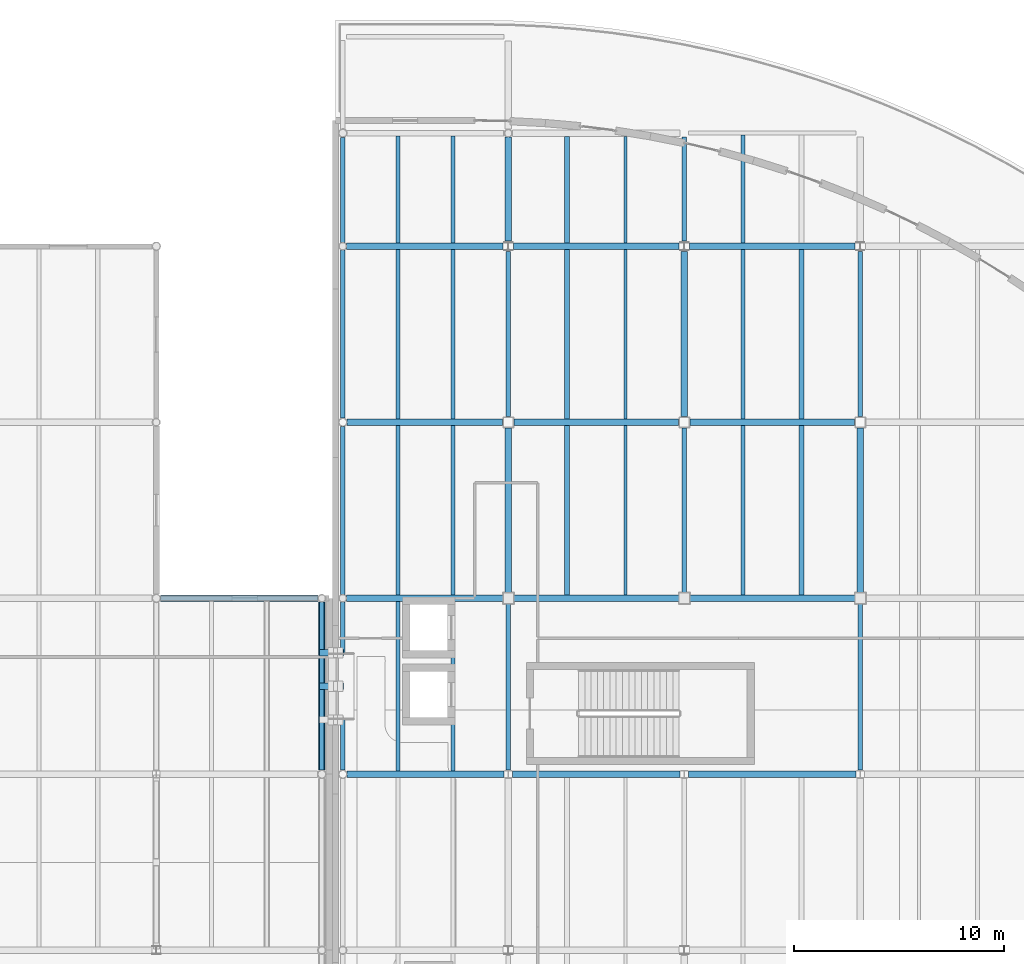
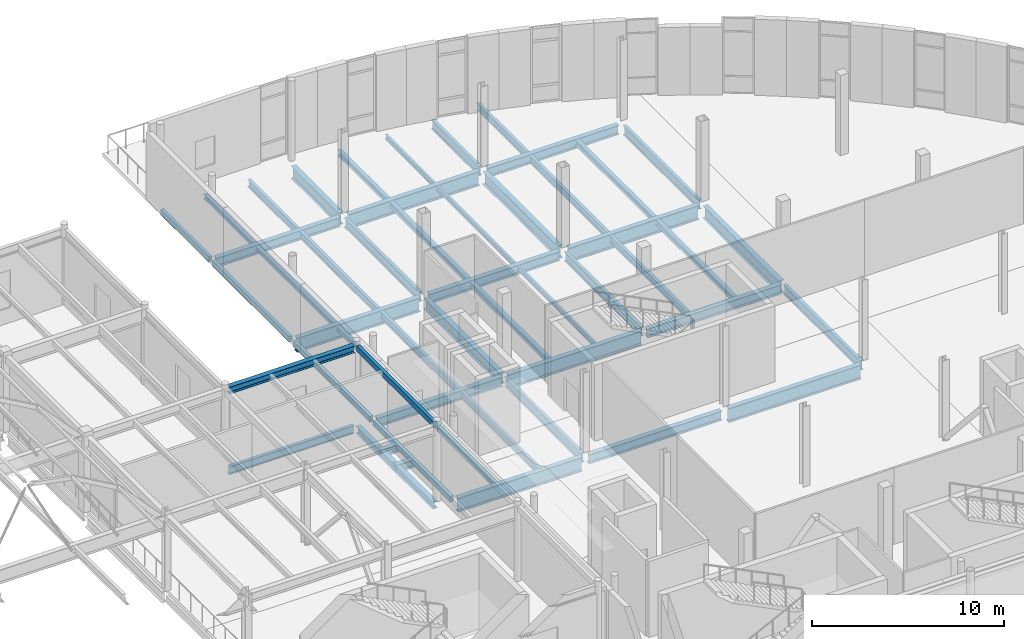
# One storey, part 33 of 103: 51 beams.
"""IFC4 building model written with IfcOpenShell, lengths in metres."""

from ifc_helpers import new_model, si_unit, direction, frame, origin, origin_2d, place, context, subcontext, project, spatial, hollow_rectangle, i_section, extrude, material, material_profile, profile_set, type_object, element, save


model = new_model("IFC4")

# Units and contexts
model_context = context("Model", 3, precision=1e-05, world=origin(), true_north=direction((0.0, 1.0)))
body_context = subcontext(model_context, "Body", "Model", "MODEL_VIEW")
ifc_project = project(units=[si_unit("LENGTHUNIT", "METRE"), si_unit("AREAUNIT", "SQUARE_METRE"), si_unit("VOLUMEUNIT", "CUBIC_METRE"), si_unit("PLANEANGLEUNIT", "RADIAN"), si_unit("MASSUNIT", "GRAM", prefix="KILO"), si_unit("THERMODYNAMICTEMPERATUREUNIT", "KELVIN")], contexts=[model_context])

# Site, building, storey
site_placement = place(None, origin())
site = spatial("IfcSite", under=ifc_project, at=site_placement, CompositionType="ELEMENT")
building_placement = place(site_placement, origin())
building = spatial("IfcBuilding", under=site, at=building_placement, Name="Lustrewick Department Store", CompositionType="ELEMENT")
storey_placement = place(building_placement, frame((0.0, 0.0, 16.5)))
storey = spatial("IfcBuildingStorey", under=building, at=storey_placement, Name="L04", CompositionType="ELEMENT", Elevation=16.5)

# Beams
ifc_material_1 = material(Name="Structural steel Q355B", Category="steel")
ifc_material_profile_1 = material_profile(ifc_material_1, i_section(OverallWidth=0.198974609375, OverallDepth=0.446044921875, WebThickness=0.008056640625, FlangeThickness=0.011962890625, FilletRadius=0.01611328125, at=origin_2d()), Name="HN 446x199x8x12")
ifc_profile_set_1 = profile_set([ifc_material_profile_1], Name="Structural steel Q355B")
beam_type_1 = type_object("IfcBeamType", Name="B04", PredefinedType="JOIST", material=ifc_profile_set_1)
for number, where, z_axis, x_axis, name in (
    (1, (114.966796875, 75.75, -0.47802734375), (0.0, 1.0, 0.0), (-1.0, 0.0, 0.0), "L04 V4 Secondary Joist B04"),
    (2, (114.966796875, 84.14990234375, -0.47802734375), (0.0, 1.0, 0.0), (-1.0, 0.0, 0.0), "L04 V4 Secondary Joist B04"),
):
    element("IfcBeam", number, at=place(storey_placement, frame(where, z_axis=z_axis, x_axis=x_axis)), inside=storey, type_object=beam_type_1, Name=name, PredefinedType="JOIST", context=body_context, shape_type="SweptSolid", body=[
        extrude(i_section(OverallWidth=0.198974609375, OverallDepth=0.446044921875, WebThickness=0.008056640625, FlangeThickness=0.011962890625, FilletRadius=0.01611328125, at=origin_2d()), origin(), (0.0, 0.0, 1.0), 8.10009765625),
    ])
beam_1_placement = place(storey_placement, frame((128.800048828125, 84.15087890625, -0.47802734375), z_axis=(0.0, 1.0, 0.0), x_axis=(-1.0, 0.0, 0.0)))
element("IfcBeam", 3, at=beam_1_placement, inside=storey, type_object=beam_type_1, Name="L04 V4 Secondary Joist B04", PredefinedType="JOIST", context=body_context, shape_type="SweptSolid", body=[
    extrude(i_section(OverallWidth=0.198974609375, OverallDepth=0.446044921875, WebThickness=0.008056640625, FlangeThickness=0.011962890625, FilletRadius=0.01611328125, at=origin_2d()), origin(), (0.0, 0.0, 1.0), 8.09814453125),
])
beam_2_placement = place(storey_placement, frame((114.966796875, 92.550048828125, -0.47802734375), z_axis=(0.0, 1.0, 0.0), x_axis=(-1.0, 0.0, 0.0)))
element("IfcBeam", 4, at=beam_2_placement, inside=storey, type_object=beam_type_1, Name="L04 V4 Secondary Joist B04", PredefinedType="JOIST", context=body_context, shape_type="SweptSolid", body=[
    extrude(i_section(OverallWidth=0.198974609375, OverallDepth=0.446044921875, WebThickness=0.008056640625, FlangeThickness=0.011962890625, FilletRadius=0.01611328125, at=origin_2d()), origin(), (0.0, 0.0, 1.0), 8.098876953125),
])
beam_3_placement = place(storey_placement, frame((128.800048828125, 92.551025390625, -0.47802734375), z_axis=(0.0, 1.0, 0.0), x_axis=(-1.0, 0.0, 0.0)))
element("IfcBeam", 5, at=beam_3_placement, inside=storey, type_object=beam_type_1, Name="L04 V4 Secondary Joist B04", PredefinedType="JOIST", context=body_context, shape_type="SweptSolid", body=[
    extrude(i_section(OverallWidth=0.198974609375, OverallDepth=0.446044921875, WebThickness=0.008056640625, FlangeThickness=0.011962890625, FilletRadius=0.01611328125, at=origin_2d()), origin(), (0.0, 0.0, 1.0), 8.097900390625),
])
beam_4_placement = place(storey_placement, frame((114.966796875, 100.950927734375, -0.47802734375), z_axis=(0.0, 1.0, 0.0), x_axis=(-1.0, 0.0, 0.0)))
element("IfcBeam", 6, at=beam_4_placement, inside=storey, type_object=beam_type_1, Name="L04 V4 Secondary Joist B04", PredefinedType="JOIST", context=body_context, shape_type="SweptSolid", body=[
    extrude(i_section(OverallWidth=0.198974609375, OverallDepth=0.446044921875, WebThickness=0.008056640625, FlangeThickness=0.011962890625, FilletRadius=0.01611328125, at=origin_2d()), origin(), (0.0, 0.0, 1.0), 5.1240234375),
])
beam_5_placement = place(storey_placement, frame((128.800048828125, 100.950927734375, -0.47802734375), z_axis=(0.0, 1.0, 0.0), x_axis=(-1.0, 0.0, 0.0)))
element("IfcBeam", 7, at=beam_5_placement, inside=storey, type_object=beam_type_1, Name="L04 V4 Secondary Joist B04", PredefinedType="JOIST", context=body_context, shape_type="SweptSolid", body=[
    extrude(i_section(OverallWidth=0.198974609375, OverallDepth=0.446044921875, WebThickness=0.008056640625, FlangeThickness=0.011962890625, FilletRadius=0.01611328125, at=origin_2d()), origin(), (0.0, 0.0, 1.0), 5.149658203125),
])
ifc_material_profile_2 = material_profile(ifc_material_1, i_section(OverallWidth=0.25, OverallDepth=0.340087890625, WebThickness=0.009033203125, FlangeThickness=0.013916015625, FilletRadius=0.01611328125, at=origin_2d()), Name="HM 340x250x9x14")
ifc_profile_set_2 = profile_set([ifc_material_profile_2], Name="Structural steel Q355B")
beam_type_2 = type_object("IfcBeamType", Name="B08", PredefinedType="JOIST", material=ifc_profile_set_2)
beam_6_placement = place(storey_placement, frame((120.39990234375, 84.14990234375, -0.425048828125), z_axis=(0.0, 1.0, 0.0), x_axis=(-1.0, 0.0, 0.0)))
element("IfcBeam", 8, at=beam_6_placement, inside=storey, type_object=beam_type_2, Name="L04 V4 Secondary Joist B08", PredefinedType="JOIST", context=body_context, shape_type="SweptSolid", body=[
    extrude(i_section(OverallWidth=0.25, OverallDepth=0.340087890625, WebThickness=0.009033203125, FlangeThickness=0.013916015625, FilletRadius=0.01611328125, at=origin_2d()), origin(), (0.0, 0.0, 1.0), 8.09912109375),
])
beam_7_placement = place(storey_placement, frame((131.60009765625, 84.15087890625, -0.425048828125), z_axis=(0.0, 1.0, 0.0), x_axis=(-1.0, 0.0, 0.0)))
element("IfcBeam", 9, at=beam_7_placement, inside=storey, type_object=beam_type_2, Name="L04 V4 Secondary Joist B08", PredefinedType="JOIST", context=body_context, shape_type="SweptSolid", body=[
    extrude(i_section(OverallWidth=0.25, OverallDepth=0.340087890625, WebThickness=0.009033203125, FlangeThickness=0.013916015625, FilletRadius=0.01611328125, at=origin_2d()), origin(), (0.0, 0.0, 1.0), 8.09814453125),
])
for number, where, z_axis, x_axis, name in (
    (10, (120.39990234375, 92.551025390625, -0.425048828125), (0.0, 1.0, 0.0), (-1.0, 0.0, 0.0), "L04 V4 Secondary Joist B08"),
    (11, (131.60009765625, 92.551025390625, -0.425048828125), (0.0, 1.0, 0.0), (-1.0, 0.0, 0.0), "L04 V4 Secondary Joist B08"),
):
    element("IfcBeam", number, at=place(storey_placement, frame(where, z_axis=z_axis, x_axis=x_axis)), inside=storey, type_object=beam_type_2, Name=name, PredefinedType="JOIST", context=body_context, shape_type="SweptSolid", body=[
        extrude(i_section(OverallWidth=0.25, OverallDepth=0.340087890625, WebThickness=0.009033203125, FlangeThickness=0.013916015625, FilletRadius=0.01611328125, at=origin_2d()), origin(), (0.0, 0.0, 1.0), 8.097900390625),
    ])
beam_8_placement = place(storey_placement, frame((120.39990234375, 100.950927734375, -0.425048828125), z_axis=(0.0, 1.0, 0.0), x_axis=(-1.0, 0.0, 0.0)))
element("IfcBeam", 12, at=beam_8_placement, inside=storey, type_object=beam_type_2, Name="L04 V4 Secondary Joist B08", PredefinedType="JOIST", context=body_context, shape_type="SweptSolid", body=[
    extrude(i_section(OverallWidth=0.25, OverallDepth=0.340087890625, WebThickness=0.009033203125, FlangeThickness=0.013916015625, FilletRadius=0.01611328125, at=origin_2d()), origin(), (0.0, 0.0, 1.0), 5.09814453125),
])
ifc_material_profile_3 = material_profile(ifc_material_1, i_section(OverallWidth=0.14892578125, OverallDepth=0.298095703125, WebThickness=0.005615234375, FlangeThickness=0.008056640625, FilletRadius=0.011962890625, at=origin_2d()), Name="HN 298x149x5.5x8")
ifc_profile_set_3 = profile_set([ifc_material_profile_3], Name="Structural steel Q355B")
beam_type_3 = type_object("IfcBeamType", Name="B12", PredefinedType="JOIST", material=ifc_profile_set_3)
beam_9_placement = place(storey_placement, frame((123.199951171875, 84.14990234375, -0.404052734375), z_axis=(0.0, 1.0, 0.0), x_axis=(-1.0, 0.0, 0.0)))
element("IfcBeam", 13, at=beam_9_placement, inside=storey, type_object=beam_type_3, Name="L04 V4 Secondary Joist B12", PredefinedType="JOIST", context=body_context, shape_type="SweptSolid", body=[
    extrude(i_section(OverallWidth=0.14892578125, OverallDepth=0.298095703125, WebThickness=0.005615234375, FlangeThickness=0.008056640625, FilletRadius=0.011962890625, at=origin_2d()), origin(), (0.0, 0.0, 1.0), 8.09912109375),
])
beam_10_placement = place(storey_placement, frame((123.199951171875, 92.551025390625, -0.404052734375), z_axis=(0.0, 1.0, 0.0), x_axis=(-1.0, 0.0, 0.0)))
element("IfcBeam", 14, at=beam_10_placement, inside=storey, type_object=beam_type_3, Name="L04 V4 Secondary Joist B12", PredefinedType="JOIST", context=body_context, shape_type="SweptSolid", body=[
    extrude(i_section(OverallWidth=0.14892578125, OverallDepth=0.298095703125, WebThickness=0.005615234375, FlangeThickness=0.008056640625, FilletRadius=0.011962890625, at=origin_2d()), origin(), (0.0, 0.0, 1.0), 8.097900390625),
])
beam_11_placement = place(storey_placement, frame((123.199951171875, 100.950927734375, -0.404052734375), z_axis=(0.0, 1.0, 0.0), x_axis=(-1.0, 0.0, 0.0)))
element("IfcBeam", 15, at=beam_11_placement, inside=storey, type_object=beam_type_3, Name="L04 V4 Secondary Joist B12", PredefinedType="JOIST", context=body_context, shape_type="SweptSolid", body=[
    extrude(i_section(OverallWidth=0.14892578125, OverallDepth=0.298095703125, WebThickness=0.005615234375, FlangeThickness=0.008056640625, FilletRadius=0.011962890625, at=origin_2d()), origin(), (0.0, 0.0, 1.0), 5.09814453125),
])
ifc_material_profile_4 = material_profile(ifc_material_1, i_section(OverallWidth=0.199951171875, OverallDepth=0.2939453125, WebThickness=0.008056640625, FlangeThickness=0.011962890625, FilletRadius=0.013916015625, at=origin_2d()), Name="HM 294x200x8x12")
ifc_profile_set_4 = profile_set([ifc_material_profile_4], Name="Structural steel Q355B")
beam_type_4 = type_object("IfcBeamType", Name="B13", PredefinedType="JOIST", material=ifc_profile_set_4)
for number, where, z_axis, x_axis, name in (
    (16, (112.333251953125, 75.75, -0.402099609375), (0.0, 1.0, 0.0), (-1.0, 0.0, 0.0), "L04 V4 Secondary Joist B13"),
    (17, (112.333251953125, 84.14990234375, -0.402099609375), (0.0, 1.0, 0.0), (-1.0, 0.0, 0.0), "L04 V4 Secondary Joist B13"),
):
    element("IfcBeam", number, at=place(storey_placement, frame(where, z_axis=z_axis, x_axis=x_axis)), inside=storey, type_object=beam_type_4, Name=name, PredefinedType="JOIST", context=body_context, shape_type="SweptSolid", body=[
        extrude(i_section(OverallWidth=0.199951171875, OverallDepth=0.2939453125, WebThickness=0.008056640625, FlangeThickness=0.011962890625, FilletRadius=0.013916015625, at=origin_2d()), origin(), (0.0, 0.0, 1.0), 8.10009765625),
    ])
beam_12_placement = place(storey_placement, frame((112.333251953125, 92.550048828125, -0.402099609375), z_axis=(0.0, 1.0, 0.0), x_axis=(-1.0, 0.0, 0.0)))
element("IfcBeam", 18, at=beam_12_placement, inside=storey, type_object=beam_type_4, Name="L04 V4 Secondary Joist B13", PredefinedType="JOIST", context=body_context, shape_type="SweptSolid", body=[
    extrude(i_section(OverallWidth=0.199951171875, OverallDepth=0.2939453125, WebThickness=0.008056640625, FlangeThickness=0.011962890625, FilletRadius=0.013916015625, at=origin_2d()), origin(), (0.0, 0.0, 1.0), 8.098876953125),
])
beam_13_placement = place(storey_placement, frame((112.333251953125, 100.950927734375, -0.402099609375), z_axis=(0.0, 1.0, 0.0), x_axis=(-1.0, 0.0, 0.0)))
element("IfcBeam", 19, at=beam_13_placement, inside=storey, type_object=beam_type_4, Name="L04 V4 Secondary Joist B13", PredefinedType="JOIST", context=body_context, shape_type="SweptSolid", body=[
    extrude(i_section(OverallWidth=0.199951171875, OverallDepth=0.2939453125, WebThickness=0.008056640625, FlangeThickness=0.011962890625, FilletRadius=0.013916015625, at=origin_2d()), origin(), (0.0, 0.0, 1.0), 5.1240234375),
])
ifc_material_2 = material(Name="Structural steel Q355C", Category="steel")
ifc_material_profile_5 = material_profile(ifc_material_2, i_section(OverallWidth=0.302001953125, OverallDepth=0.912109375, WebThickness=0.01806640625, FlangeThickness=0.033935546875, FilletRadius=0.02392578125, at=origin_2d()), Name="HN 912x302x18x34")
ifc_profile_set_5 = profile_set([ifc_material_profile_5], Name="Structural steel Q355C")
beam_type_5 = type_object("IfcBeamType", Name="G01", PredefinedType="BEAM", material=ifc_profile_set_5)
beam_14_placement = place(storey_placement, frame((126.27490234375, 92.39990234375, -0.7109375), z_axis=(1.0, 0.0, 0.0), x_axis=(0.0, 1.0, 0.0)))
element("IfcBeam", 20, at=beam_14_placement, inside=storey, type_object=beam_type_5, Name="L04 V4 Girder G01", PredefinedType="BEAM", context=body_context, shape_type="SweptSolid", body=[
    extrude(i_section(OverallWidth=0.302001953125, OverallDepth=0.912109375, WebThickness=0.01806640625, FlangeThickness=0.033935546875, FilletRadius=0.02392578125, at=origin_2d()), origin(), (0.0, 0.0, 1.0), 7.85009765625),
])
beam_15_placement = place(storey_placement, frame((117.85009765625, 100.800048828125, -0.7109375), z_axis=(1.0, 0.0, 0.0), x_axis=(0.0, 1.0, 0.0)))
element("IfcBeam", 21, at=beam_15_placement, inside=storey, type_object=beam_type_5, Name="L04 V4 Girder G01", PredefinedType="BEAM", context=body_context, shape_type="SweptSolid", body=[
    extrude(i_section(OverallWidth=0.302001953125, OverallDepth=0.912109375, WebThickness=0.01806640625, FlangeThickness=0.033935546875, FilletRadius=0.02392578125, at=origin_2d()), origin(), (0.0, 0.0, 1.0), 7.89990234375),
])
ifc_material_profile_6 = material_profile(ifc_material_2, i_section(OverallWidth=0.300048828125, OverallDepth=0.89990234375, WebThickness=0.01611328125, FlangeThickness=0.028076171875, FilletRadius=0.02392578125, at=origin_2d()), Name="HN 900x300x16x28")
ifc_profile_set_6 = profile_set([ifc_material_profile_6], Name="Structural steel Q355C")
beam_type_6 = type_object("IfcBeamType", Name="G02", PredefinedType="BEAM", material=ifc_profile_set_6)
beam_16_placement = place(storey_placement, frame((109.903076171875, 75.60009765625, -0.705078125), z_axis=(1.0, 0.0, 0.0), x_axis=(0.0, 1.0, 0.0)))
element("IfcBeam", 22, at=beam_16_placement, inside=storey, type_object=beam_type_6, Name="L04 V4 Girder G02", PredefinedType="BEAM", context=body_context, shape_type="SweptSolid", body=[
    extrude(i_section(OverallWidth=0.300048828125, OverallDepth=0.89990234375, WebThickness=0.01611328125, FlangeThickness=0.028076171875, FilletRadius=0.02392578125, at=origin_2d()), origin(), (0.0, 0.0, 1.0), 7.495849609375),
])
beam_17_placement = place(storey_placement, frame((126.200927734375, 75.60009765625, -0.705078125), z_axis=(1.0, 0.0, 0.0), x_axis=(0.0, 1.0, 0.0)))
element("IfcBeam", 23, at=beam_17_placement, inside=storey, type_object=beam_type_6, Name="L04 V4 Girder G02", PredefinedType="BEAM", context=body_context, shape_type="SweptSolid", body=[
    extrude(i_section(OverallWidth=0.300048828125, OverallDepth=0.89990234375, WebThickness=0.01611328125, FlangeThickness=0.028076171875, FilletRadius=0.02392578125, at=origin_2d()), origin(), (0.0, 0.0, 1.0), 7.998046875),
])
beam_18_placement = place(storey_placement, frame((117.77490234375, 84.0, -0.705078125), z_axis=(1.0, 0.0, 0.0), x_axis=(0.0, 1.0, 0.0)))
element("IfcBeam", 24, at=beam_18_placement, inside=storey, type_object=beam_type_6, Name="L04 V4 Girder G02", PredefinedType="BEAM", context=body_context, shape_type="SweptSolid", body=[
    extrude(i_section(OverallWidth=0.300048828125, OverallDepth=0.89990234375, WebThickness=0.01611328125, FlangeThickness=0.028076171875, FilletRadius=0.02392578125, at=origin_2d()), origin(), (0.0, 0.0, 1.0), 8.050048828125),
])
beam_19_placement = place(storey_placement, frame((109.903076171875, 92.39990234375, -0.705078125), z_axis=(1.0, 0.0, 0.0), x_axis=(0.0, 1.0, 0.0)))
element("IfcBeam", 25, at=beam_19_placement, inside=storey, type_object=beam_type_6, Name="L04 V4 Girder G02", PredefinedType="BEAM", context=body_context, shape_type="SweptSolid", body=[
    extrude(i_section(OverallWidth=0.300048828125, OverallDepth=0.89990234375, WebThickness=0.01611328125, FlangeThickness=0.028076171875, FilletRadius=0.02392578125, at=origin_2d()), origin(), (0.0, 0.0, 1.0), 7.421875),
])
ifc_material_profile_7 = material_profile(ifc_material_1, i_section(OverallWidth=0.300048828125, OverallDepth=0.7919921875, WebThickness=0.013916015625, FlangeThickness=0.02197265625, FilletRadius=0.02197265625, at=origin_2d()), Name="HN 792x300x14x22")
ifc_profile_set_7 = profile_set([ifc_material_profile_7], Name="Structural steel Q355B")
beam_type_7 = type_object("IfcBeamType", Name="G06", PredefinedType="BEAM", material=ifc_profile_set_7)
beam_20_placement = place(storey_placement, frame((117.60009765625, 101.050048828125, -0.65087890625), z_axis=(0.0, 1.0, 0.0), x_axis=(-1.0, 0.0, 0.0)))
element("IfcBeam", 26, at=beam_20_placement, inside=storey, type_object=beam_type_7, Name="L04 V4 Girder G06", PredefinedType="BEAM", context=body_context, shape_type="SweptSolid", body=[
    extrude(i_section(OverallWidth=0.300048828125, OverallDepth=0.7919921875, WebThickness=0.013916015625, FlangeThickness=0.02197265625, FilletRadius=0.02197265625, at=origin_2d()), origin(), (0.0, 0.0, 1.0), 4.9560546875),
])
beam_21_placement = place(storey_placement, frame((126.0, 92.675048828125, -0.65087890625), z_axis=(0.0, 1.0, 0.0), x_axis=(-1.0, 0.0, 0.0)))
element("IfcBeam", 27, at=beam_21_placement, inside=storey, type_object=beam_type_7, Name="L04 V4 Girder G06", PredefinedType="BEAM", context=body_context, shape_type="SweptSolid", body=[
    extrude(i_section(OverallWidth=0.300048828125, OverallDepth=0.7919921875, WebThickness=0.013916015625, FlangeThickness=0.02197265625, FilletRadius=0.02197265625, at=origin_2d()), origin(), (0.0, 0.0, 1.0), 7.875),
])
beam_22_placement = place(storey_placement, frame((134.39990234375, 84.175048828125, -0.65087890625), z_axis=(0.0, 1.0, 0.0), x_axis=(-1.0, 0.0, 0.0)))
element("IfcBeam", 28, at=beam_22_placement, inside=storey, type_object=beam_type_7, Name="L04 V4 Girder G06", PredefinedType="BEAM", context=body_context, shape_type="SweptSolid", body=[
    extrude(i_section(OverallWidth=0.300048828125, OverallDepth=0.7919921875, WebThickness=0.013916015625, FlangeThickness=0.02197265625, FilletRadius=0.02197265625, at=origin_2d()), origin(), (0.0, 0.0, 1.0), 7.949951171875),
])
ifc_material_profile_8 = material_profile(ifc_material_2, i_section(OverallWidth=0.302001953125, OverallDepth=0.7080078125, WebThickness=0.014892578125, FlangeThickness=0.028076171875, FilletRadius=0.02001953125, at=origin_2d()), Name="HN 708x302x15x28")
ifc_profile_set_8 = profile_set([ifc_material_profile_8], Name="Structural steel Q355C")
beam_type_8 = type_object("IfcBeamType", Name="G07", PredefinedType="BEAM", material=ifc_profile_set_8)
beam_23_placement = place(storey_placement, frame((117.60009765625, 84.175048828125, -0.60888671875), z_axis=(0.0, 1.0, 0.0), x_axis=(-1.0, 0.0, 0.0)))
element("IfcBeam", 29, at=beam_23_placement, inside=storey, type_object=beam_type_8, Name="L04 V4 Girder G07", PredefinedType="BEAM", context=body_context, shape_type="SweptSolid", body=[
    extrude(i_section(OverallWidth=0.302001953125, OverallDepth=0.7080078125, WebThickness=0.014892578125, FlangeThickness=0.028076171875, FilletRadius=0.02001953125, at=origin_2d()), origin(), (0.0, 0.0, 1.0), 7.949951171875),
])
ifc_material_profile_9 = material_profile(ifc_material_1, i_section(OverallWidth=0.302001953125, OverallDepth=0.593994140625, WebThickness=0.013916015625, FlangeThickness=0.02294921875, FilletRadius=0.02392578125, at=origin_2d()), Name="HM 594x302x14x23")
ifc_profile_set_9 = profile_set([ifc_material_profile_9], Name="Structural steel Q355B")
beam_type_9 = type_object("IfcBeamType", Name="G10", PredefinedType="BEAM", material=ifc_profile_set_9)
beam_24_placement = place(storey_placement, frame((117.801025390625, 75.60009765625, -0.552001953125), z_axis=(1.0, 0.0, 0.0), x_axis=(0.0, 1.0, 0.0)))
element("IfcBeam", 30, at=beam_24_placement, inside=storey, type_object=beam_type_9, Name="L04 V4 Girder G10", PredefinedType="BEAM", context=body_context, shape_type="SweptSolid", body=[
    extrude(i_section(OverallWidth=0.302001953125, OverallDepth=0.593994140625, WebThickness=0.013916015625, FlangeThickness=0.02294921875, FilletRadius=0.02392578125, at=origin_2d()), origin(), (0.0, 0.0, 1.0), 7.998046875),
])
beam_25_placement = place(storey_placement, frame((126.175048828125, 84.0, -0.552001953125), z_axis=(1.0, 0.0, 0.0), x_axis=(0.0, 1.0, 0.0)))
element("IfcBeam", 31, at=beam_25_placement, inside=storey, type_object=beam_type_9, Name="L04 V4 Girder G10", PredefinedType="BEAM", context=body_context, shape_type="SweptSolid", body=[
    extrude(i_section(OverallWidth=0.302001953125, OverallDepth=0.593994140625, WebThickness=0.013916015625, FlangeThickness=0.02294921875, FilletRadius=0.02392578125, at=origin_2d()), origin(), (0.0, 0.0, 1.0), 8.050048828125),
])
beam_26_placement = place(storey_placement, frame((117.875, 92.39990234375, -0.552001953125), z_axis=(1.0, 0.0, 0.0), x_axis=(0.0, 1.0, 0.0)))
element("IfcBeam", 32, at=beam_26_placement, inside=storey, type_object=beam_type_9, Name="L04 V4 Girder G10", PredefinedType="BEAM", context=body_context, shape_type="SweptSolid", body=[
    extrude(i_section(OverallWidth=0.302001953125, OverallDepth=0.593994140625, WebThickness=0.013916015625, FlangeThickness=0.02294921875, FilletRadius=0.02392578125, at=origin_2d()), origin(), (0.0, 0.0, 1.0), 7.85009765625),
])
beam_27_placement = place(storey_placement, frame((109.888427734375, 100.800048828125, -0.552001953125), z_axis=(1.0, 0.0, 0.0), x_axis=(0.0, 1.0, 0.0)))
element("IfcBeam", 33, at=beam_27_placement, inside=storey, type_object=beam_type_9, Name="L04 V4 Girder G10", PredefinedType="BEAM", context=body_context, shape_type="SweptSolid", body=[
    extrude(i_section(OverallWidth=0.302001953125, OverallDepth=0.593994140625, WebThickness=0.013916015625, FlangeThickness=0.02294921875, FilletRadius=0.02392578125, at=origin_2d()), origin(), (0.0, 0.0, 1.0), 7.461669921875),
])
beam_28_placement = place(storey_placement, frame((126.25, 100.800048828125, -0.552001953125), z_axis=(1.0, 0.0, 0.0), x_axis=(0.0, 1.0, 0.0)))
element("IfcBeam", 34, at=beam_28_placement, inside=storey, type_object=beam_type_9, Name="L04 V4 Girder G10", PredefinedType="BEAM", context=body_context, shape_type="SweptSolid", body=[
    extrude(i_section(OverallWidth=0.302001953125, OverallDepth=0.593994140625, WebThickness=0.013916015625, FlangeThickness=0.02294921875, FilletRadius=0.02392578125, at=origin_2d()), origin(), (0.0, 0.0, 1.0), 7.89990234375),
])
ifc_material_profile_10 = material_profile(ifc_material_1, i_section(OverallWidth=0.300048828125, OverallDepth=0.587890625, WebThickness=0.011962890625, FlangeThickness=0.02001953125, FilletRadius=0.02392578125, at=origin_2d()), Name="HM 588x300x12x20")
ifc_profile_set_10 = profile_set([ifc_material_profile_10], Name="Structural steel Q355B")
beam_type_10 = type_object("IfcBeamType", Name="G11", PredefinedType="BEAM", material=ifc_profile_set_10)
beam_29_placement = place(storey_placement, frame((109.888427734375, 84.0, -0.549072265625), z_axis=(1.0, 0.0, 0.0), x_axis=(0.0, 1.0, 0.0)))
element("IfcBeam", 35, at=beam_29_placement, inside=storey, type_object=beam_type_10, Name="L04 V4 Girder G11", PredefinedType="BEAM", context=body_context, shape_type="SweptSolid", body=[
    extrude(i_section(OverallWidth=0.300048828125, OverallDepth=0.587890625, WebThickness=0.011962890625, FlangeThickness=0.02001953125, FilletRadius=0.02392578125, at=origin_2d()), origin(), (0.0, 0.0, 1.0), 7.53662109375),
])
ifc_material_profile_11 = material_profile(ifc_material_1, i_section(OverallWidth=0.198974609375, OverallDepth=0.595947265625, WebThickness=0.010009765625, FlangeThickness=0.014892578125, FilletRadius=0.01806640625, at=origin_2d()), Name="HN 596x199x10x15")
ifc_profile_set_11 = profile_set([ifc_material_profile_11], Name="Structural steel Q355B")
beam_type_11 = type_object("IfcBeamType", Name="G15", PredefinedType="BEAM", material=ifc_profile_set_11)
beam_30_placement = place(storey_placement, frame((117.60009765625, 75.7939453125, -0.552978515625), z_axis=(0.0, 1.0, 0.0), x_axis=(-1.0, 0.0, 0.0)))
element("IfcBeam", 36, at=beam_30_placement, inside=storey, type_object=beam_type_11, Name="L04 V4 Girder G15", PredefinedType="BEAM", context=body_context, shape_type="SweptSolid", body=[
    extrude(i_section(OverallWidth=0.198974609375, OverallDepth=0.595947265625, WebThickness=0.010009765625, FlangeThickness=0.014892578125, FilletRadius=0.01806640625, at=origin_2d()), origin(), (0.0, 0.0, 1.0), 8.031005859375),
])
beam_31_placement = place(storey_placement, frame((117.60009765625, 92.675048828125, -0.552978515625), z_axis=(0.0, 1.0, 0.0), x_axis=(-1.0, 0.0, 0.0)))
element("IfcBeam", 37, at=beam_31_placement, inside=storey, type_object=beam_type_11, Name="L04 V4 Girder G15", PredefinedType="BEAM", context=body_context, shape_type="SweptSolid", body=[
    extrude(i_section(OverallWidth=0.198974609375, OverallDepth=0.595947265625, WebThickness=0.010009765625, FlangeThickness=0.014892578125, FilletRadius=0.01806640625, at=origin_2d()), origin(), (0.0, 0.0, 1.0), 7.875),
])
beam_32_placement = place(storey_placement, frame((126.0, 84.175048828125, -0.552978515625), z_axis=(0.0, 1.0, 0.0), x_axis=(-1.0, 0.0, 0.0)))
element("IfcBeam", 38, at=beam_32_placement, inside=storey, type_object=beam_type_11, Name="L04 V4 Girder G15", PredefinedType="BEAM", context=body_context, shape_type="SweptSolid", body=[
    extrude(i_section(OverallWidth=0.198974609375, OverallDepth=0.595947265625, WebThickness=0.010009765625, FlangeThickness=0.014892578125, FilletRadius=0.01806640625, at=origin_2d()), origin(), (0.0, 0.0, 1.0), 7.949951171875),
])
beam_33_placement = place(storey_placement, frame((126.0, 101.050048828125, -0.552978515625), z_axis=(0.0, 1.0, 0.0), x_axis=(-1.0, 0.0, 0.0)))
element("IfcBeam", 39, at=beam_33_placement, inside=storey, type_object=beam_type_11, Name="L04 V4 Girder G15", PredefinedType="BEAM", context=body_context, shape_type="SweptSolid", body=[
    extrude(i_section(OverallWidth=0.198974609375, OverallDepth=0.595947265625, WebThickness=0.010009765625, FlangeThickness=0.014892578125, FilletRadius=0.01806640625, at=origin_2d()), origin(), (0.0, 0.0, 1.0), 4.9560546875),
])
beam_34_placement = place(storey_placement, frame((134.39990234375, 75.7939453125, -0.552978515625), z_axis=(0.0, 1.0, 0.0), x_axis=(-1.0, 0.0, 0.0)))
element("IfcBeam", 40, at=beam_34_placement, inside=storey, type_object=beam_type_11, Name="L04 V4 Girder G15", PredefinedType="BEAM", context=body_context, shape_type="SweptSolid", body=[
    extrude(i_section(OverallWidth=0.198974609375, OverallDepth=0.595947265625, WebThickness=0.010009765625, FlangeThickness=0.014892578125, FilletRadius=0.01806640625, at=origin_2d()), origin(), (0.0, 0.0, 1.0), 8.031005859375),
])
beam_35_placement = place(storey_placement, frame((134.39990234375, 92.675048828125, -0.552978515625), z_axis=(0.0, 1.0, 0.0), x_axis=(-1.0, 0.0, 0.0)))
element("IfcBeam", 41, at=beam_35_placement, inside=storey, type_object=beam_type_11, Name="L04 V4 Girder G15", PredefinedType="BEAM", context=body_context, shape_type="SweptSolid", body=[
    extrude(i_section(OverallWidth=0.198974609375, OverallDepth=0.595947265625, WebThickness=0.010009765625, FlangeThickness=0.014892578125, FilletRadius=0.01806640625, at=origin_2d()), origin(), (0.0, 0.0, 1.0), 7.875),
])
ifc_material_profile_12 = material_profile(ifc_material_1, i_section(OverallWidth=0.300048828125, OverallDepth=0.488037109375, WebThickness=0.010986328125, FlangeThickness=0.01806640625, FilletRadius=0.02197265625, at=origin_2d()), Name="HM 488x300x11x18")
ifc_profile_set_12 = profile_set([ifc_material_profile_12], Name="Structural steel Q355B")
beam_type_12 = type_object("IfcBeamType", Name="G16", PredefinedType="BEAM", material=ifc_profile_set_12)
for number, where, z_axis, x_axis, name in (
    (42, (108.60009765625, 81.39990234375, -0.4990234375), (1.0, 0.0, 0.0), (0.0, 1.0, 0.0), "L04 Skybridge SB24 Girder 2"),
    (43, (108.60009765625, 79.800048828125, -0.4990234375), (1.0, 0.0, 0.0), (0.0, 1.0, 0.0), "L04 Skybridge SB24 Girder 3"),
):
    element("IfcBeam", number, at=place(storey_placement, frame(where, z_axis=z_axis, x_axis=x_axis)), inside=storey, type_object=beam_type_12, Name=name, PredefinedType="BEAM", context=body_context, shape_type="SweptSolid", body=[
        extrude(i_section(OverallWidth=0.300048828125, OverallDepth=0.488037109375, WebThickness=0.010986328125, FlangeThickness=0.01806640625, FilletRadius=0.02197265625, at=origin_2d()), origin(), (0.0, 0.0, 1.0), 1.139892578125),
    ])
ifc_material_profile_13 = material_profile(ifc_material_1, i_section(OverallWidth=0.200927734375, OverallDepth=0.506103515625, WebThickness=0.010986328125, FlangeThickness=0.01904296875, FilletRadius=0.01611328125, at=origin_2d()), Name="HN 506x201x11x19")
ifc_profile_set_13 = profile_set([ifc_material_profile_13], Name="Structural steel Q355B")
beam_type_13 = type_object("IfcBeamType", Name="SP01", PredefinedType="SPANDREL", material=ifc_profile_set_13)
beam_36_placement = place(storey_placement, frame((101.0029296875, 84.0, -0.508056640625), z_axis=(1.0, 0.0, 0.0), x_axis=(0.0, 1.0, 0.0)))
element("IfcBeam", 44, at=beam_36_placement, inside=storey, type_object=beam_type_13, Name="L04 V2 Girder SP01", PredefinedType="SPANDREL", context=body_context, shape_type="SweptSolid", body=[
    extrude(i_section(OverallWidth=0.200927734375, OverallDepth=0.506103515625, WebThickness=0.010986328125, FlangeThickness=0.01904296875, FilletRadius=0.01611328125, at=origin_2d()), origin(), (0.0, 0.0, 1.0), 7.508544921875),
])
ifc_material_profile_14 = material_profile(ifc_material_1, i_section(OverallWidth=0.300048828125, OverallDepth=0.43994140625, WebThickness=0.010986328125, FlangeThickness=0.01806640625, FilletRadius=0.02001953125, at=origin_2d()), Name="HM 440x300x11x18")
ifc_profile_set_14 = profile_set([ifc_material_profile_14], Name="Structural steel Q355B")
beam_type_14 = type_object("IfcBeamType", Name="SP02", PredefinedType="SPANDREL", material=ifc_profile_set_14)
beam_37_placement = place(storey_placement, frame((108.699951171875, 75.802978515625, -0.47509765625), z_axis=(0.0, 1.0, 0.0), x_axis=(-1.0, 0.0, 0.0)))
element("IfcBeam", 45, at=beam_37_placement, inside=storey, type_object=beam_type_14, Name="L04 V2 Girder SP02", PredefinedType="SPANDREL", context=body_context, shape_type="SweptSolid", body=[
    extrude(i_section(OverallWidth=0.300048828125, OverallDepth=0.43994140625, WebThickness=0.010986328125, FlangeThickness=0.01806640625, FilletRadius=0.02001953125, at=origin_2d()), origin(), (0.0, 0.0, 1.0), 8.008544921875),
])
beam_38_placement = place(storey_placement, frame((101.0029296875, 84.0, 4.625), z_axis=(1.0, 0.0, 0.0), x_axis=(0.0, 1.0, 0.0)))
element("IfcBeam", 46, at=beam_38_placement, inside=storey, type_object=beam_type_14, Name="L04 V2 Girder SP02", PredefinedType="SPANDREL", context=body_context, shape_type="SweptSolid", body=[
    extrude(i_section(OverallWidth=0.300048828125, OverallDepth=0.43994140625, WebThickness=0.010986328125, FlangeThickness=0.01806640625, FilletRadius=0.02001953125, at=origin_2d()), origin(), (0.0, 0.0, 1.0), 7.508544921875),
])
ifc_material_profile_15 = material_profile(ifc_material_2, hollow_rectangle(XDim=0.199951171875, YDim=0.35009765625, WallThickness=0.011962890625, at=origin_2d()), Name="RHS 350x200x12")
ifc_profile_set_15 = profile_set([ifc_material_profile_15], Name="Structural steel Q355C")
beam_type_15 = type_object("IfcBeamType", Name="SP03", PredefinedType="SPANDREL", material=ifc_profile_set_15)
for number, where, z_axis, x_axis, name in (
    (47, (109.699951171875, 75.802978515625, -0.429931640625), (0.0, 1.0, 0.0), (-1.0, 0.0, 0.0), "L04 V4 Girder SP03"),
    (48, (109.699951171875, 84.1884765625, -0.429931640625), (0.0, 1.0, 0.0), (-1.0, 0.0, 0.0), "L04 V4 Girder SP03"),
    (49, (109.699951171875, 92.60302734375, -0.429931640625), (0.0, 1.0, 0.0), (-1.0, 0.0, 0.0), "L04 V4 Girder SP03"),
):
    element("IfcBeam", number, at=place(storey_placement, frame(where, z_axis=z_axis, x_axis=x_axis)), inside=storey, type_object=beam_type_15, Name=name, PredefinedType="SPANDREL", context=body_context, shape_type="SweptSolid", body=[
        extrude(hollow_rectangle(XDim=0.199951171875, YDim=0.35009765625, WallThickness=0.011962890625, at=origin_2d()), origin(), (0.0, 0.0, 1.0), 8.008544921875),
    ])
beam_39_placement = place(storey_placement, frame((109.699951171875, 100.988525390625, -0.429931640625), z_axis=(0.0, 1.0, 0.0), x_axis=(-1.0, 0.0, 0.0)))
element("IfcBeam", 50, at=beam_39_placement, inside=storey, type_object=beam_type_15, Name="L04 V4 Girder SP03", PredefinedType="SPANDREL", context=body_context, shape_type="SweptSolid", body=[
    extrude(hollow_rectangle(XDim=0.199951171875, YDim=0.35009765625, WallThickness=0.011962890625, at=origin_2d()), origin(), (0.0, 0.0, 1.0), 5.008544921875),
])
beam_40_placement = place(storey_placement, frame((108.699951171875, 75.802978515625, 4.669921875), z_axis=(0.0, 1.0, 0.0), x_axis=(-1.0, 0.0, 0.0)))
element("IfcBeam", 51, at=beam_40_placement, inside=storey, type_object=beam_type_15, Name="L04 V2 Girder SP03", PredefinedType="SPANDREL", context=body_context, shape_type="SweptSolid", body=[
    extrude(hollow_rectangle(XDim=0.199951171875, YDim=0.35009765625, WallThickness=0.011962890625, at=origin_2d()), origin(), (0.0, 0.0, 1.0), 8.008544921875),
])

save(model, "model.ifc")
